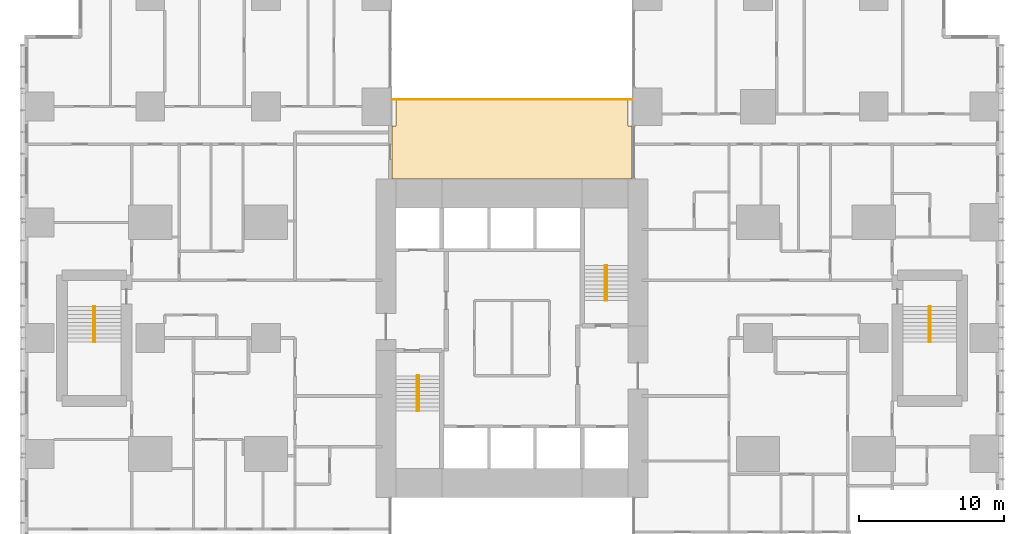
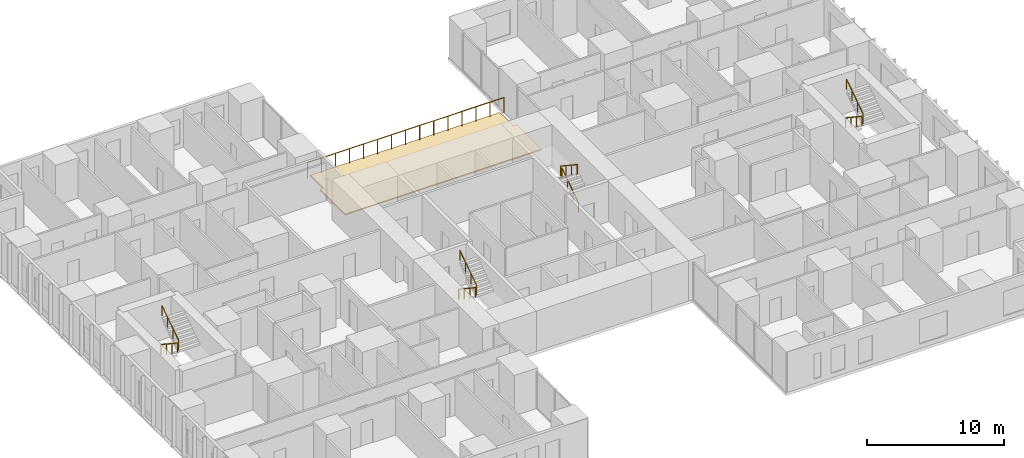
# One storey, part 20 of 20: 9 railings, 1 covering.
"""IFC4 building model written with IfcOpenShell, lengths in metres."""

from ifc_helpers import new_model, si_unit, direction, frame, origin, origin_2d, place, context, subcontext, project, spatial, polyline, circle, outline, extrude, material, layer, layer_set, type_object, element, save


model = new_model("IFC4")

# Units and contexts
model_context = context("Model", 3, precision=1e-05, world=origin(), true_north=direction((0.0, 1.0)))
body_context = subcontext(model_context, "Body", "Model", "MODEL_VIEW")
ifc_project = project(units=[si_unit("LENGTHUNIT", "METRE"), si_unit("AREAUNIT", "SQUARE_METRE"), si_unit("VOLUMEUNIT", "CUBIC_METRE"), si_unit("PLANEANGLEUNIT", "RADIAN"), si_unit("MASSUNIT", "GRAM", prefix="KILO")], contexts=[model_context])

# Site, building, storey
site_placement = place(None, origin())
site = spatial("IfcSite", under=ifc_project, at=site_placement, CompositionType="ELEMENT")
building_placement = place(site_placement, origin())
building = spatial("IfcBuilding", under=site, at=building_placement, Name="Cleftline Residences", CompositionType="ELEMENT")
storey_placement = place(building_placement, frame((0.0, 0.0, 96.199951171875)))
storey = spatial("IfcBuildingStorey", under=building, at=storey_placement, Name="L24", CompositionType="ELEMENT", Elevation=96.199951171875)

# Covering
ifc_material_1 = material(Name="Bituminous membrane on rigid insulation")
ifc_layer = layer(ifc_material_1, 0.10009765625)
ifc_layer_set = layer_set([ifc_layer], Name="BRIDGE ROOF MEMBRANE AND INSULATION 100")
covering_type = type_object("IfcCoveringType", Name="BRIDGE ROOF MEMBRANE AND INSULATION 100", PredefinedType="ROOFING", material=ifc_layer_set)
covering_placement = place(storey_placement, origin())
element("IfcCovering", 1, at=covering_placement, inside=storey, type_object=covering_type, Name="Sky bridge roof membrane L23 N", PredefinedType="ROOFING", context=body_context, shape_type="SweptSolid", body=[
    extrude(outline(polyline([(25.0, 40.60009765625), (25.0, 38.64990234375), (24.705078125, 38.64990234375), (24.705078125, 35.0048828125), (24.9951171875, 35.0048828125), (25.0048828125, 35.0048828125), (28.14501953125, 35.0048828125), (28.155029296875, 35.0048828125), (37.844970703125, 35.0048828125), (37.85498046875, 35.0048828125), (40.9951171875, 35.0048828125), (41.0048828125, 35.0048828125), (41.300048828125, 35.0048828125), (41.300048828125, 38.64990234375), (41.0, 38.64990234375), (41.0, 40.60009765625), (25.0, 40.60009765625)])), origin(), (0.0, 0.0, 1.0), 0.10009765625),
])

# Railings
ifc_material_2 = material(Name="Stainless steel", Category="steel")
railing_type_1 = type_object("IfcRailingType", Name="HANDRAIL 900", PredefinedType="HANDRAIL", material=ifc_material_2)
railing_1_placement = place(storey_placement, frame((26.449951171875, 21.39990234375, 0.179931640625)))
element("IfcRailing", 2, at=railing_1_placement, inside=storey, type_object=railing_type_1, Name="Stair handrail", PredefinedType="HANDRAIL", context=body_context, shape_type="SweptSolid", body=[
    extrude(circle(Radius=0.02392578125, at=origin_2d()), frame((0.0, 0.0, 0.8759765625), z_axis=(0.0, -0.832024571796, 0.554738778101), x_axis=(1.0, 0.0, 0.0)), (0.0, 0.0, 1.0), 2.92041015625),
    extrude(circle(Radius=0.02099609375, at=origin_2d()), origin(), (0.0, 0.0, 1.0), 0.851806640625),
    extrude(circle(Radius=0.02099609375, at=origin_2d()), frame((0.0, -0.81005859375, 0.5400390625)), (0.0, 0.0, 1.0), 0.851806640625),
    extrude(circle(Radius=0.02099609375, at=origin_2d()), frame((0.0, -1.619873046875, 1.080078125)), (0.0, 0.0, 1.0), 0.851806640625),
    extrude(circle(Radius=0.02099609375, at=origin_2d()), frame((0.0, -2.429931640625, 1.6201171875)), (0.0, 0.0, 1.0), 0.851806640625),
])
for number, where, name in (
    (3, (26.550048828125, 18.969970703125, 1.97998046875), "Stair handrail"),
    (4, (39.550048828125, 26.60009765625, 0.179931640625), "Stair handrail"),
):
    element("IfcRailing", number, at=place(storey_placement, frame(where)), inside=storey, type_object=railing_type_1, Name=name, PredefinedType="HANDRAIL", context=body_context, shape_type="SweptSolid", body=[
        extrude(circle(Radius=0.02392578125, at=origin_2d()), frame((0.0, 0.0, 0.8759765625), z_axis=(0.0, 0.832024571796, 0.554738778101), x_axis=(-1.0, 0.0, 0.0)), (0.0, 0.0, 1.0), 2.92041015625),
        extrude(circle(Radius=0.02099609375, at=origin_2d()), origin(), (0.0, 0.0, 1.0), 0.851806640625),
        extrude(circle(Radius=0.02099609375, at=origin_2d()), frame((0.0, 0.81005859375, 0.5400390625)), (0.0, 0.0, 1.0), 0.851806640625),
        extrude(circle(Radius=0.02099609375, at=origin_2d()), frame((0.0, 1.619873046875, 1.080078125)), (0.0, 0.0, 1.0), 0.851806640625),
        extrude(circle(Radius=0.02099609375, at=origin_2d()), frame((0.0, 2.429931640625, 1.6201171875)), (0.0, 0.0, 1.0), 0.851806640625),
    ])
for number, where, name in (
    (5, (39.449951171875, 29.030029296875, 1.97998046875), "Stair handrail"),
    (6, (61.824951171875, 26.175048828125, 0.179931640625), "Stair handrail"),
):
    element("IfcRailing", number, at=place(storey_placement, frame(where)), inside=storey, type_object=railing_type_1, Name=name, PredefinedType="HANDRAIL", context=body_context, shape_type="SweptSolid", body=[
        extrude(circle(Radius=0.02392578125, at=origin_2d()), frame((0.0, 0.0, 0.8759765625), z_axis=(0.0, -0.832024571796, 0.554738778101), x_axis=(1.0, 0.0, 0.0)), (0.0, 0.0, 1.0), 2.92041015625),
        extrude(circle(Radius=0.02099609375, at=origin_2d()), origin(), (0.0, 0.0, 1.0), 0.851806640625),
        extrude(circle(Radius=0.02099609375, at=origin_2d()), frame((0.0, -0.81005859375, 0.5400390625)), (0.0, 0.0, 1.0), 0.851806640625),
        extrude(circle(Radius=0.02099609375, at=origin_2d()), frame((0.0, -1.619873046875, 1.080078125)), (0.0, 0.0, 1.0), 0.851806640625),
        extrude(circle(Radius=0.02099609375, at=origin_2d()), frame((0.0, -2.429931640625, 1.6201171875)), (0.0, 0.0, 1.0), 0.851806640625),
    ])
railing_2_placement = place(storey_placement, frame((61.925048828125, 23.7451171875, 1.97998046875)))
element("IfcRailing", 7, at=railing_2_placement, inside=storey, type_object=railing_type_1, Name="Stair handrail", PredefinedType="HANDRAIL", context=body_context, shape_type="SweptSolid", body=[
    extrude(circle(Radius=0.02392578125, at=origin_2d()), frame((0.0, 0.0, 0.8759765625), z_axis=(0.0, 0.832024571796, 0.554738778101), x_axis=(-1.0, 0.0, 0.0)), (0.0, 0.0, 1.0), 2.92041015625),
    extrude(circle(Radius=0.02099609375, at=origin_2d()), origin(), (0.0, 0.0, 1.0), 0.851806640625),
    extrude(circle(Radius=0.02099609375, at=origin_2d()), frame((0.0, 0.81005859375, 0.5400390625)), (0.0, 0.0, 1.0), 0.851806640625),
    extrude(circle(Radius=0.02099609375, at=origin_2d()), frame((0.0, 1.619873046875, 1.080078125)), (0.0, 0.0, 1.0), 0.851806640625),
    extrude(circle(Radius=0.02099609375, at=origin_2d()), frame((0.0, 2.429931640625, 1.6201171875)), (0.0, 0.0, 1.0), 0.851806640625),
])
railing_3_placement = place(storey_placement, frame((4.074951171875, 26.175048828125, 0.179931640625)))
element("IfcRailing", 8, at=railing_3_placement, inside=storey, type_object=railing_type_1, Name="Stair handrail", PredefinedType="HANDRAIL", context=body_context, shape_type="SweptSolid", body=[
    extrude(circle(Radius=0.02392578125, at=origin_2d()), frame((0.0, 0.0, 0.8759765625), z_axis=(0.0, -0.832024571796, 0.554738778101), x_axis=(1.0, 0.0, 0.0)), (0.0, 0.0, 1.0), 2.92041015625),
    extrude(circle(Radius=0.02099609375, at=origin_2d()), origin(), (0.0, 0.0, 1.0), 0.851806640625),
    extrude(circle(Radius=0.02099609375, at=origin_2d()), frame((0.0, -0.81005859375, 0.5400390625)), (0.0, 0.0, 1.0), 0.851806640625),
    extrude(circle(Radius=0.02099609375, at=origin_2d()), frame((0.0, -1.619873046875, 1.080078125)), (0.0, 0.0, 1.0), 0.851806640625),
    extrude(circle(Radius=0.02099609375, at=origin_2d()), frame((0.0, -2.429931640625, 1.6201171875)), (0.0, 0.0, 1.0), 0.851806640625),
])
railing_4_placement = place(storey_placement, frame((4.175048828125, 23.7451171875, 1.97998046875)))
element("IfcRailing", 9, at=railing_4_placement, inside=storey, type_object=railing_type_1, Name="Stair handrail", PredefinedType="HANDRAIL", context=body_context, shape_type="SweptSolid", body=[
    extrude(circle(Radius=0.02392578125, at=origin_2d()), frame((0.0, 0.0, 0.8759765625), z_axis=(0.0, 0.832024571796, 0.554738778101), x_axis=(-1.0, 0.0, 0.0)), (0.0, 0.0, 1.0), 2.92041015625),
    extrude(circle(Radius=0.02099609375, at=origin_2d()), origin(), (0.0, 0.0, 1.0), 0.851806640625),
    extrude(circle(Radius=0.02099609375, at=origin_2d()), frame((0.0, 0.81005859375, 0.5400390625)), (0.0, 0.0, 1.0), 0.851806640625),
    extrude(circle(Radius=0.02099609375, at=origin_2d()), frame((0.0, 1.619873046875, 1.080078125)), (0.0, 0.0, 1.0), 0.851806640625),
    extrude(circle(Radius=0.02099609375, at=origin_2d()), frame((0.0, 2.429931640625, 1.6201171875)), (0.0, 0.0, 1.0), 0.851806640625),
])
ifc_material_3 = material(Name="Galvanised steel", Category="steel")
railing_type_2 = type_object("IfcRailingType", Name="ROOF EDGE GUARD 1400", PredefinedType="GUARDRAIL", material=ifc_material_3)
railing_5_placement = place(storey_placement, frame((24.699951171875, 40.5, 0.0)))
element("IfcRailing", 10, at=railing_5_placement, inside=storey, type_object=railing_type_2, Name="Roof edge guard", PredefinedType="GUARDRAIL", context=body_context, shape_type="SweptSolid", body=[
    extrude(circle(Radius=0.02392578125, at=origin_2d()), frame((0.0, 0.0, 1.3759765625), z_axis=(1.0, 0.0, 0.0), x_axis=(0.0, 1.0, 0.0)), (0.0, 0.0, 1.0), 16.60009765625),
    extrude(circle(Radius=0.02099609375, at=origin_2d()), origin(), (0.0, 0.0, 1.0), 1.351806640625),
    extrude(circle(Radius=0.02099609375, at=origin_2d()), frame((1.185791015625, 0.0, 0.0)), (0.0, 0.0, 1.0), 1.351806640625),
    extrude(circle(Radius=0.02099609375, at=origin_2d()), frame((2.371337890625, 0.0, 0.0)), (0.0, 0.0, 1.0), 1.351806640625),
    extrude(circle(Radius=0.02099609375, at=origin_2d()), frame((3.55712890625, 0.0, 0.0)), (0.0, 0.0, 1.0), 1.351806640625),
    extrude(circle(Radius=0.02099609375, at=origin_2d()), frame((4.742919921875, 0.0, 0.0)), (0.0, 0.0, 1.0), 1.351806640625),
    extrude(circle(Radius=0.02099609375, at=origin_2d()), frame((5.9287109375, 0.0, 0.0)), (0.0, 0.0, 1.0), 1.351806640625),
    extrude(circle(Radius=0.02099609375, at=origin_2d()), frame((7.1142578125, 0.0, 0.0)), (0.0, 0.0, 1.0), 1.351806640625),
    extrude(circle(Radius=0.02099609375, at=origin_2d()), frame((8.300048828125, 0.0, 0.0)), (0.0, 0.0, 1.0), 1.351806640625),
    extrude(circle(Radius=0.02099609375, at=origin_2d()), frame((9.48583984375, 0.0, 0.0)), (0.0, 0.0, 1.0), 1.351806640625),
    extrude(circle(Radius=0.02099609375, at=origin_2d()), frame((10.67138671875, 0.0, 0.0)), (0.0, 0.0, 1.0), 1.351806640625),
    extrude(circle(Radius=0.02099609375, at=origin_2d()), frame((11.857177734375, 0.0, 0.0)), (0.0, 0.0, 1.0), 1.351806640625),
    extrude(circle(Radius=0.02099609375, at=origin_2d()), frame((13.04296875, 0.0, 0.0)), (0.0, 0.0, 1.0), 1.351806640625),
    extrude(circle(Radius=0.02099609375, at=origin_2d()), frame((14.228759765625, 0.0, 0.0)), (0.0, 0.0, 1.0), 1.351806640625),
    extrude(circle(Radius=0.02099609375, at=origin_2d()), frame((15.414306640625, 0.0, 0.0)), (0.0, 0.0, 1.0), 1.351806640625),
    extrude(circle(Radius=0.02099609375, at=origin_2d()), frame((16.60009765625, 0.0, 0.0)), (0.0, 0.0, 1.0), 1.351806640625),
])

save(model, "model.ifc")
